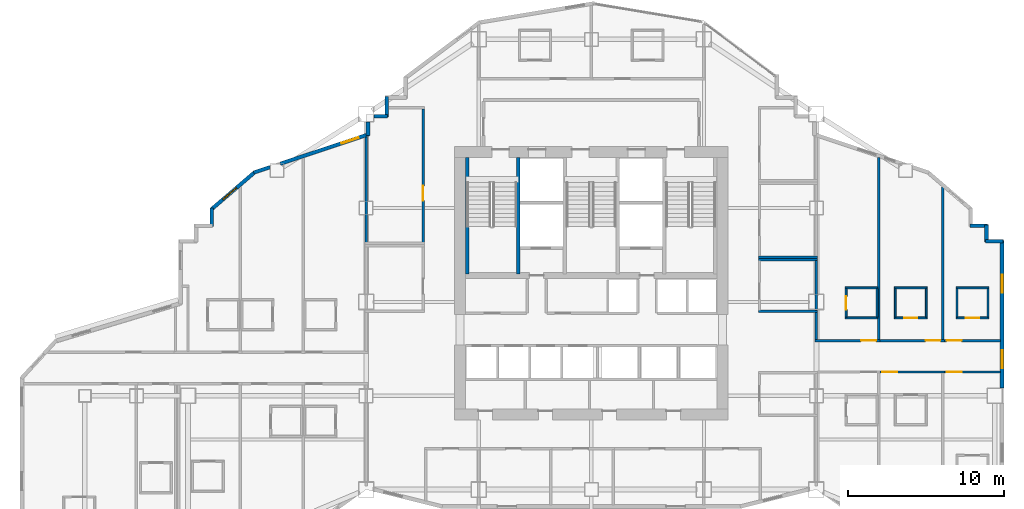
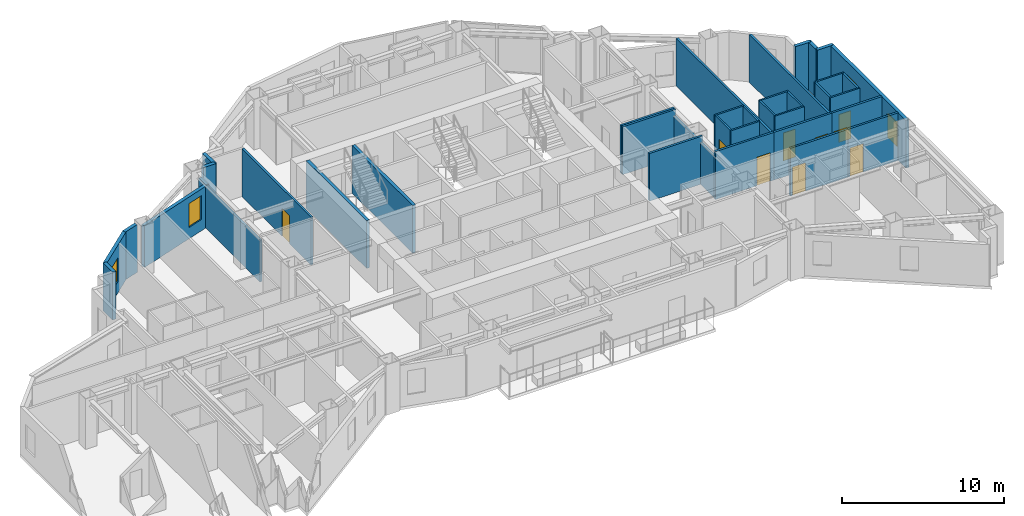
# One storey, part 10 of 14: 39 walls, 9 doors, 4 windows, 13 openings.
"""IFC4 building model written with IfcOpenShell, lengths in metres."""

from ifc_helpers import new_model, si_unit, direction, frame, frame_2d, origin, place, context, subcontext, project, spatial, rectangle, extrude, material, layer, layer_set, type_object, element, fill, save


model = new_model("IFC4")

# Units and contexts
model_context = context("Model", 3, precision=1e-05, world=origin(), true_north=direction((0.0, 1.0)))
body_context = subcontext(model_context, "Body", "Model", "MODEL_VIEW")
ifc_project = project(units=[si_unit("LENGTHUNIT", "METRE"), si_unit("AREAUNIT", "SQUARE_METRE"), si_unit("VOLUMEUNIT", "CUBIC_METRE"), si_unit("PLANEANGLEUNIT", "RADIAN"), si_unit("MASSUNIT", "GRAM", prefix="KILO")], contexts=[model_context])

# Site, building, storey
site_placement = place(None, origin())
site = spatial("IfcSite", under=ifc_project, at=site_placement, CompositionType="ELEMENT")
building_placement = place(site_placement, origin())
building = spatial("IfcBuilding", under=site, at=building_placement, Name="Haolan Belvedere Tower", CompositionType="ELEMENT")
storey_placement = place(building_placement, frame((0.0, 0.0, 121.199951171875)))
storey = spatial("IfcBuildingStorey", under=building, at=storey_placement, Name="L30", CompositionType="ELEMENT", Elevation=121.199951171875)

# Wall, openings, windows
ifc_material_1 = material(Name="Precast concrete C40/50", Category="concrete")
ifc_layer_1 = layer(ifc_material_1, 0.239990234375, Name="Precast concrete C40/50")
ifc_layer_set_1 = layer_set([ifc_layer_1], Name="Precast concrete C40/50")
wall_type_1 = type_object("IfcWallType", Name="WL-EXT-240", PredefinedType="SOLIDWALL", material=ifc_layer_set_1)
wall_1_placement = place(storey_placement, frame((64.679931640625, 28.092041015625, 0.0), z_axis=(0.0, 0.0, 1.0), x_axis=(0.0, 1.0, 0.0)))
wall_1 = element("IfcWall", 1, at=wall_1_placement, inside=storey, type_object=wall_type_1, Name="L30 pale-metal exterior spandrel wall 14.2", PredefinedType="SOLIDWALL", context=body_context, shape_type="SweptSolid", body=[
    extrude(rectangle(XDim=9.44287109375, YDim=0.239990234375, at=frame_2d((4.721435546875, 0.0))), origin(), (0.0, 0.0, 1.0), 3.60009765625),
])
opening_1_placement = place(wall_1_placement, frame((1.262939453125, 0.0, 0.85009765625)))
opening_1 = element("IfcOpeningElement", 2, at=opening_1_placement, cuts=wall_1, Name="Opening W-02", PredefinedType="OPENING", context=body_context, shape_type="SweptSolid", body=[
    extrude(rectangle(XDim=1.14990234375, YDim=1.800048828125, at=frame_2d((0.574951171875, 0.89990234375))), frame((0.0, 0.1298828125, 0.0), z_axis=(0.0, -1.0, 0.0), x_axis=(1.0, 0.0, 0.0)), (0.0, 0.0, 1.0), 0.260009765625),
])
opening_2_placement = place(wall_1_placement, frame((6.10009765625, 0.0, 0.85009765625)))
opening_2 = element("IfcOpeningElement", 3, at=opening_2_placement, cuts=wall_1, Name="Opening W-02", PredefinedType="OPENING", context=body_context, shape_type="SweptSolid", body=[
    extrude(rectangle(XDim=1.14990234375, YDim=1.800048828125, at=frame_2d((0.574951171875, 0.89990234375))), frame((0.0, 0.1298828125, 0.0), z_axis=(0.0, -1.0, 0.0), x_axis=(1.0, 0.0, 0.0)), (0.0, 0.0, 1.0), 0.260009765625),
])
ifc_material_2 = material(Name="Anodised aluminium 6063-T6 and Low-E glass", Category="aluminium")
window_type = type_object("IfcWindowType", Name="WN-DECO-Z2", PartitioningType="SINGLE_PANEL", PredefinedType="WINDOW", material=ifc_material_2)
window_1_placement = place(opening_1_placement, origin())
window_1 = element("IfcWindow", 4, at=window_1_placement, inside=storey, type_object=window_type, Name="L30 Art Deco chevron window 1", OverallHeight=1.800048828125, OverallWidth=1.14990234375, PartitioningType="SINGLE_PANEL", PredefinedType="WINDOW", context=body_context, shape_type="SweptSolid", body=[
    extrude(rectangle(XDim=1.14990234375, YDim=1.800048828125, at=frame_2d((0.574951171875, 0.89990234375))), frame((0.0, 0.030029296875, 0.0), z_axis=(0.0, -1.0, 0.0), x_axis=(1.0, 0.0, 0.0)), (0.0, 0.0, 1.0), 0.06005859375),
])
fill(opening_1, window_1)
window_2_placement = place(opening_2_placement, origin())
window_2 = element("IfcWindow", 5, at=window_2_placement, inside=storey, type_object=window_type, Name="L30 Art Deco chevron window 2", OverallHeight=1.800048828125, OverallWidth=1.14990234375, PartitioningType="SINGLE_PANEL", PredefinedType="WINDOW", context=body_context, shape_type="SweptSolid", body=[
    extrude(rectangle(XDim=1.14990234375, YDim=1.800048828125, at=frame_2d((0.574951171875, 0.89990234375))), frame((0.0, 0.030029296875, 0.0), z_axis=(0.0, -1.0, 0.0), x_axis=(1.0, 0.0, 0.0)), (0.0, 0.0, 1.0), 0.06005859375),
])
fill(opening_2, window_2)

# Walls
wall_2_placement = place(storey_placement, frame((64.735107421875, 37.47998046875, 0.0), z_axis=(0.0, 0.0, 1.0), x_axis=(-1.0, 0.0, 0.0)))
element("IfcWall", 6, at=wall_2_placement, inside=storey, type_object=wall_type_1, Name="L30 pale-metal exterior spandrel wall 15.1", PredefinedType="SOLIDWALL", context=body_context, shape_type="SweptSolid", body=[
    extrude(rectangle(XDim=1.110107421875, YDim=0.239990234375, at=frame_2d((0.55517578125, 0.0))), origin(), (0.0, 0.0, 1.0), 3.60009765625),
])
wall_3_placement = place(storey_placement, frame((63.679931640625, 37.425048828125, 0.0), z_axis=(0.0, 0.0, 1.0), x_axis=(0.0, 1.0, 0.0)))
element("IfcWall", 7, at=wall_3_placement, inside=storey, type_object=wall_type_1, Name="L30 pale-metal exterior spandrel wall 16.1", PredefinedType="SOLIDWALL", context=body_context, shape_type="SweptSolid", body=[
    extrude(rectangle(XDim=1.10986328125, YDim=0.239990234375, at=frame_2d((0.554931640625, 0.0))), origin(), (0.0, 0.0, 1.0), 3.60009765625),
])
wall_4_placement = place(storey_placement, frame((63.735107421875, 38.47998046875, 0.0), z_axis=(0.0, 0.0, 1.0), x_axis=(-1.0, 0.0, 0.0)))
element("IfcWall", 8, at=wall_4_placement, inside=storey, type_object=wall_type_1, Name="L30 pale-metal exterior spandrel wall 17.1", PredefinedType="SOLIDWALL", context=body_context, shape_type="SweptSolid", body=[
    extrude(rectangle(XDim=1.110107421875, YDim=0.239990234375, at=frame_2d((0.55517578125, 0.0))), origin(), (0.0, 0.0, 1.0), 3.60009765625),
])
wall_5_placement = place(storey_placement, frame((25.320068359375, 46.735107421875, 0.0), z_axis=(0.0, 0.0, 1.0), x_axis=(0.0, -1.0, 0.0)))
element("IfcWall", 9, at=wall_5_placement, inside=storey, type_object=wall_type_1, Name="L30 pale-metal exterior spandrel wall 32.1", PredefinedType="SOLIDWALL", context=body_context, shape_type="SweptSolid", body=[
    extrude(rectangle(XDim=1.31005859375, YDim=0.239990234375, at=frame_2d((0.655029296875, 0.0))), origin(), (0.0, 0.0, 1.0), 3.60009765625),
])
wall_6_placement = place(storey_placement, frame((25.375, 45.47998046875, 0.0), z_axis=(0.0, 0.0, 1.0), x_axis=(-1.0, 0.0, 0.0)))
element("IfcWall", 10, at=wall_6_placement, inside=storey, type_object=wall_type_1, Name="L30 pale-metal exterior spandrel wall 33.1", PredefinedType="SOLIDWALL", context=body_context, shape_type="SweptSolid", body=[
    extrude(rectangle(XDim=0.883056640625, YDim=0.239990234375, at=frame_2d((0.44140625, 0.0))), origin(), (0.0, 0.0, 1.0), 3.60009765625),
])
wall_7_placement = place(storey_placement, frame((24.1201171875, 45.10791015625, 0.0), z_axis=(0.0, 0.0, 1.0), x_axis=(0.0, -1.0, 0.0)))
element("IfcWall", 11, at=wall_7_placement, inside=storey, type_object=wall_type_1, Name="L30 pale-metal exterior spandrel wall 34.1", PredefinedType="SOLIDWALL", context=body_context, shape_type="SweptSolid", body=[
    extrude(rectangle(XDim=0.849365234375, YDim=0.239990234375, at=frame_2d((0.4248046875, 0.0))), origin(), (0.0, 0.0, 1.0), 3.14501953125),
])

# Wall, opening, window
wall_8_placement = place(storey_placement, frame((24.172119140625, 44.330810546875, 0.0), z_axis=(0.0, 0.0, 1.0), x_axis=(-0.948683298051, -0.316227766017, 0.0)))
wall_8 = element("IfcWall", 12, at=wall_8_placement, inside=storey, type_object=wall_type_1, Name="L30 pale-metal exterior spandrel wall 35.1", PredefinedType="SOLIDWALL", context=body_context, shape_type="SweptSolid", body=[
    extrude(rectangle(XDim=5.973388671875, YDim=0.239990234375, at=frame_2d((2.98681640625, 0.0))), origin(), (0.0, 0.0, 1.0), 3.14501953125),
])
opening_3_placement = place(wall_8_placement, frame((0.699951171875, 0.0, 0.85009765625)))
opening_3 = element("IfcOpeningElement", 13, at=opening_3_placement, cuts=wall_8, Name="Opening W-02", PredefinedType="OPENING", context=body_context, shape_type="SweptSolid", body=[
    extrude(rectangle(XDim=1.14990234375, YDim=1.800048828125, at=frame_2d((0.574951171875, 0.89990234375))), frame((0.0, 0.1298828125, 0.0), z_axis=(0.0, -1.0, 0.0), x_axis=(1.0, 0.0, 0.0)), (0.0, 0.0, 1.0), 0.260009765625),
])
window_3_placement = place(opening_3_placement, origin())
window_3 = element("IfcWindow", 14, at=window_3_placement, inside=storey, type_object=window_type, Name="L30 Art Deco chevron window 1", OverallHeight=1.800048828125, OverallWidth=1.14990234375, PartitioningType="SINGLE_PANEL", PredefinedType="WINDOW", context=body_context, shape_type="SweptSolid", body=[
    extrude(rectangle(XDim=1.14990234375, YDim=1.800048828125, at=frame_2d((0.574951171875, 0.89990234375))), frame((0.0, 0.030029296875, 0.0), z_axis=(0.0, -1.0, 0.0), x_axis=(1.0, 0.0, 0.0)), (0.0, 0.0, 1.0), 0.06005859375),
])
fill(opening_3, window_3)

# Wall
wall_9_placement = place(storey_placement, frame((17.85791015625, 42.226318359375, 0.0), z_axis=(0.0, 0.0, 1.0), x_axis=(-0.948639166064, -0.316360131194, 0.0)))
element("IfcWall", 15, at=wall_9_placement, inside=storey, type_object=wall_type_1, Name="L30 pale-metal exterior spandrel wall 35.2", PredefinedType="SOLIDWALL", context=body_context, shape_type="SweptSolid", body=[
    extrude(rectangle(XDim=1.106689453125, YDim=0.239990234375, at=frame_2d((0.55322265625, 0.0))), origin(), (0.0, 0.0, 1.0), 3.60009765625),
])

# Wall, opening, window
wall_10_placement = place(storey_placement, frame((16.902099609375, 41.929443359375, 0.0), z_axis=(0.0, 0.0, 1.0), x_axis=(-0.759275136126, -0.650769750112, 0.0)))
wall_10 = element("IfcWall", 16, at=wall_10_placement, inside=storey, type_object=wall_type_1, Name="L30 pale-metal exterior spandrel wall 36.1", PredefinedType="SOLIDWALL", context=body_context, shape_type="SweptSolid", body=[
    extrude(rectangle(XDim=3.71923828125, YDim=0.239990234375, at=frame_2d((1.859619140625, 0.0))), origin(), (0.0, 0.0, 1.0), 3.60009765625),
])
opening_4_placement = place(wall_10_placement, frame((1.578857421875, 0.0, 0.85009765625)))
opening_4 = element("IfcOpeningElement", 17, at=opening_4_placement, cuts=wall_10, Name="Opening W-02", PredefinedType="OPENING", context=body_context, shape_type="SweptSolid", body=[
    extrude(rectangle(XDim=1.14990234375, YDim=1.800048828125, at=frame_2d((0.574951171875, 0.89990234375))), frame((0.0, 0.1298828125, 0.0), z_axis=(0.0, -1.0, 0.0), x_axis=(1.0, 0.0, 0.0)), (0.0, 0.0, 1.0), 0.260009765625),
])
window_4_placement = place(opening_4_placement, origin())
window_4 = element("IfcWindow", 18, at=window_4_placement, inside=storey, type_object=window_type, Name="L30 Art Deco chevron window 1", OverallHeight=1.800048828125, OverallWidth=1.14990234375, PartitioningType="SINGLE_PANEL", PredefinedType="WINDOW", context=body_context, shape_type="SweptSolid", body=[
    extrude(rectangle(XDim=1.14990234375, YDim=1.800048828125, at=frame_2d((0.574951171875, 0.89990234375))), frame((0.0, 0.030029296875, 0.0), z_axis=(0.0, -1.0, 0.0), x_axis=(1.0, 0.0, 0.0)), (0.0, 0.0, 1.0), 0.06005859375),
])
fill(opening_4, window_4)

# Walls
wall_11_placement = place(storey_placement, frame((14.1201171875, 39.599853515625, 0.0), z_axis=(0.0, 0.0, 1.0), x_axis=(0.0, -1.0, 0.0)))
element("IfcWall", 19, at=wall_11_placement, inside=storey, type_object=wall_type_1, Name="L30 pale-metal exterior spandrel wall 37.1", PredefinedType="SOLIDWALL", context=body_context, shape_type="SweptSolid", body=[
    extrude(rectangle(XDim=1.1748046875, YDim=0.239990234375, at=frame_2d((0.58740234375, 0.0))), origin(), (0.0, 0.0, 1.0), 3.60009765625),
])
ifc_material_3 = material(Name="Double gypsum acoustic stud partition", Category="masonry")
ifc_layer_2 = layer(ifc_material_3, 0.14990234375, Name="Double gypsum acoustic stud partition")
ifc_layer_set_2 = layer_set([ifc_layer_2], Name="Double gypsum acoustic stud partition")
wall_type_2 = type_object("IfcWallType", Name="WL-PART-150", PredefinedType="PARTITIONING", material=ifc_layer_set_2)
wall_12_placement = place(storey_placement, frame((24.0, 37.419921875, 0.0), z_axis=(0.0, 0.0, 1.0), x_axis=(0.0, 1.0, 0.0)))
element("IfcWall", 20, at=wall_12_placement, inside=storey, type_object=wall_type_2, Name="L30 interior partition IW-L30-MTG-W", PredefinedType="PARTITIONING", context=body_context, shape_type="SweptSolid", body=[
    extrude(rectangle(XDim=6.742919921875, YDim=0.14990234375, at=frame_2d((3.37158203125, 0.0))), origin(), (0.0, 0.0, 1.0), 3.14501953125),
])

# Wall, opening, door
wall_13_placement = place(storey_placement, frame((27.639892578125, 37.419921875, 0.0), z_axis=(0.0, 0.0, 1.0), x_axis=(0.0, 1.0, 0.0)))
wall_13 = element("IfcWall", 21, at=wall_13_placement, inside=storey, type_object=wall_type_2, Name="L30 interior partition IW-L30-MTG-E", PredefinedType="PARTITIONING", context=body_context, shape_type="SweptSolid", body=[
    extrude(rectangle(XDim=8.5400390625, YDim=0.14990234375, at=frame_2d((4.27001953125, 0.0))), origin(), (0.0, 0.0, 1.0), 3.60009765625),
])
opening_5_placement = place(wall_13_placement, frame((3.60986328125, 0.0, 0.0), z_axis=(0.0, 0.0, 1.0), x_axis=(-1.0, 0.0, 0.0)))
opening_5 = element("IfcOpeningElement", 22, at=opening_5_placement, cuts=wall_13, Name="Opening ID-03", PredefinedType="OPENING", context=body_context, shape_type="SweptSolid", body=[
    extrude(rectangle(XDim=0.949951171875, YDim=2.1201171875, at=frame_2d((0.47509765625, 1.06005859375))), frame((0.0, 0.0849609375, 0.0), z_axis=(0.0, -1.0, 0.0), x_axis=(1.0, 0.0, 0.0)), (0.0, 0.0, 1.0), 0.169921875),
])
ifc_material_4 = material(Name="Painted solid-core timber", Category="wood")
door_type_1 = type_object("IfcDoorType", Name="DR-INT-950", OperationType="NOTDEFINED", PredefinedType="DOOR", material=ifc_material_4)
door_1_placement = place(opening_5_placement, origin())
door_1 = element("IfcDoor", 23, at=door_1_placement, inside=storey, type_object=door_type_1, Name="L30 door ID-L30-MTG", OperationType="SINGLE_SWING_RIGHT", OverallHeight=2.1201171875, OverallWidth=0.949951171875, PredefinedType="DOOR", context=body_context, shape_type="SweptSolid", body=[
    extrude(rectangle(XDim=0.949951171875, YDim=2.1201171875, at=frame_2d((0.47509765625, 1.06005859375))), frame((0.0, 0.02490234375, 0.0), z_axis=(0.0, -1.0, 0.0), x_axis=(1.0, 0.0, 0.0)), (0.0, 0.0, 1.0), 0.050048828125),
])
fill(opening_5, door_1)

# Walls
for number, where, z_axis, x_axis, name in (
    (24, (49.080078125, 36.300048828125, 0.0), (0.0, 0.0, 1.0), (1.0, 0.0, 0.0), "L30 interior partition IW-L30-AWC-N"),
    (25, (49.080078125, 33.0, 0.0), (0.0, 0.0, 1.0), (1.0, 0.0, 0.0), "L30 interior partition IW-L30-AWC-S"),
):
    element("IfcWall", number, at=place(storey_placement, frame(where, z_axis=z_axis, x_axis=x_axis)), inside=storey, type_object=wall_type_2, Name=name, PredefinedType="PARTITIONING", context=body_context, shape_type="SweptSolid", body=[
        extrude(rectangle(XDim=3.7998046875, YDim=0.14990234375, at=frame_2d((1.89990234375, 0.0))), origin(), (0.0, 0.0, 1.0), 3.60009765625),
    ])
wall_14_placement = place(storey_placement, frame((52.800048828125, 33.06005859375, 0.0), z_axis=(0.0, 0.0, 1.0), x_axis=(0.0, 1.0, 0.0)))
element("IfcWall", 26, at=wall_14_placement, inside=storey, type_object=wall_type_2, Name="L30 interior partition IW-L30-AWC-E", PredefinedType="PARTITIONING", context=body_context, shape_type="SweptSolid", body=[
    extrude(rectangle(XDim=3.179931640625, YDim=0.14990234375, at=frame_2d((1.58984375, 0.0))), origin(), (0.0, 0.0, 1.0), 3.14501953125),
])
wall_15_placement = place(storey_placement, frame((49.080078125, 36.4599609375, 0.0), z_axis=(0.0, 0.0, 1.0), x_axis=(1.0, 0.0, 0.0)))
element("IfcWall", 27, at=wall_15_placement, inside=storey, type_object=wall_type_2, Name="L30 interior partition IW-L30-STY-S", PredefinedType="PARTITIONING", context=body_context, shape_type="SweptSolid", body=[
    extrude(rectangle(XDim=3.7998046875, YDim=0.14990234375, at=frame_2d((1.89990234375, 0.0))), origin(), (0.0, 0.0, 1.0), 3.60009765625),
])

# Wall, opening, door
wall_16_placement = place(storey_placement, frame((52.699951171875, 31.1298828125, 0.0), z_axis=(0.0, 0.0, 1.0), x_axis=(1.0, 0.0, 0.0)))
wall_16 = element("IfcWall", 28, at=wall_16_placement, inside=storey, type_object=wall_type_2, Name="L30 interior partition IW-L30-T4N1-S", PredefinedType="PARTITIONING", context=body_context, shape_type="SweptSolid", body=[
    extrude(rectangle(XDim=4.179931640625, YDim=0.14990234375, at=frame_2d((2.08984375, 0.0))), origin(), (0.0, 0.0, 1.0), 3.60009765625),
])
opening_6_placement = place(wall_16_placement, frame((2.966064453125, 0.0, 0.0)))
opening_6 = element("IfcOpeningElement", 29, at=opening_6_placement, cuts=wall_16, Name="Opening ID-02", PredefinedType="OPENING", context=body_context, shape_type="SweptSolid", body=[
    extrude(rectangle(XDim=0.949951171875, YDim=2.14990234375, at=frame_2d((0.47509765625, 1.074951171875))), frame((0.0, 0.0849609375, 0.0), z_axis=(0.0, -1.0, 0.0), x_axis=(1.0, 0.0, 0.0)), (0.0, 0.0, 1.0), 0.169921875),
])
ifc_material_5 = material(Name="Acoustic oak veneer fire-rated timber", Category="wood")
door_type_2 = type_object("IfcDoorType", Name="DR-GUEST-950", OperationType="NOTDEFINED", PredefinedType="DOOR", material=ifc_material_5)
door_2_placement = place(opening_6_placement, origin())
door_2 = element("IfcDoor", 30, at=door_2_placement, inside=storey, type_object=door_type_2, Name="L30 door ID-L30-T4N1-ENT", OperationType="SINGLE_SWING_LEFT", OverallHeight=2.14990234375, OverallWidth=0.949951171875, PredefinedType="DOOR", context=body_context, shape_type="SweptSolid", body=[
    extrude(rectangle(XDim=0.949951171875, YDim=2.14990234375, at=frame_2d((0.47509765625, 1.074951171875))), frame((0.0, 0.02490234375, 0.0), z_axis=(0.0, -1.0, 0.0), x_axis=(1.0, 0.0, 0.0)), (0.0, 0.0, 1.0), 0.050048828125),
])
fill(opening_6, door_2)

# Walls
wall_17_placement = place(storey_placement, frame((52.800048828125, 31.18994140625, 0.0), z_axis=(0.0, 0.0, 1.0), x_axis=(0.0, 1.0, 0.0)))
element("IfcWall", 31, at=wall_17_placement, inside=storey, type_object=wall_type_2, Name="L30 interior partition IW-L30-T4N1-W", PredefinedType="PARTITIONING", context=body_context, shape_type="SweptSolid", body=[
    extrude(rectangle(XDim=1.75, YDim=0.14990234375, at=frame_2d((0.875, 0.0))), origin(), (0.0, 0.0, 1.0), 3.14501953125),
])
wall_18_placement = place(storey_placement, frame((56.780029296875, 31.18994140625, 0.0), z_axis=(0.0, 0.0, 1.0), x_axis=(0.0, 1.0, 0.0)))
element("IfcWall", 32, at=wall_18_placement, inside=storey, type_object=wall_type_2, Name="L30 interior partition IW-L30-T4N1-E", PredefinedType="PARTITIONING", context=body_context, shape_type="SweptSolid", body=[
    extrude(rectangle(XDim=11.646240234375, YDim=0.14990234375, at=frame_2d((5.8232421875, 0.0))), origin(), (0.0, 0.0, 1.0), 3.60009765625),
])

# Wall, opening, door
wall_19_placement = place(storey_placement, frame((56.882080078125, 31.1298828125, 0.0), z_axis=(0.0, 0.0, 1.0), x_axis=(1.0, 0.0, 0.0)))
wall_19 = element("IfcWall", 33, at=wall_19_placement, inside=storey, type_object=wall_type_2, Name="L30 interior partition IW-L30-T4N2-S", PredefinedType="PARTITIONING", context=body_context, shape_type="SweptSolid", body=[
    extrude(rectangle(XDim=4.10791015625, YDim=0.14990234375, at=frame_2d((2.053955078125, 0.0))), origin(), (0.0, 0.0, 1.0), 3.60009765625),
])
opening_7_placement = place(wall_19_placement, frame((2.896484375, 0.0, 0.0)))
opening_7 = element("IfcOpeningElement", 34, at=opening_7_placement, cuts=wall_19, Name="Opening ID-02", PredefinedType="OPENING", context=body_context, shape_type="SweptSolid", body=[
    extrude(rectangle(XDim=0.949951171875, YDim=2.14990234375, at=frame_2d((0.47509765625, 1.074951171875))), frame((0.0, 0.0849609375, 0.0), z_axis=(0.0, -1.0, 0.0), x_axis=(1.0, 0.0, 0.0)), (0.0, 0.0, 1.0), 0.169921875),
])
door_3_placement = place(opening_7_placement, origin())
door_3 = element("IfcDoor", 35, at=door_3_placement, inside=storey, type_object=door_type_2, Name="L30 door ID-L30-T4N2-ENT", OperationType="SINGLE_SWING_RIGHT", OverallHeight=2.14990234375, OverallWidth=0.949951171875, PredefinedType="DOOR", context=body_context, shape_type="SweptSolid", body=[
    extrude(rectangle(XDim=0.949951171875, YDim=2.14990234375, at=frame_2d((0.47509765625, 1.074951171875))), frame((0.0, 0.02490234375, 0.0), z_axis=(0.0, -1.0, 0.0), x_axis=(1.0, 0.0, 0.0)), (0.0, 0.0, 1.0), 0.050048828125),
])
fill(opening_7, door_3)

# Wall
wall_20_placement = place(storey_placement, frame((60.889892578125, 31.18994140625, 0.0), z_axis=(0.0, 0.0, 1.0), x_axis=(0.0, 1.0, 0.0)))
element("IfcWall", 36, at=wall_20_placement, inside=storey, type_object=wall_type_2, Name="L30 interior partition IW-L30-T4N2-E", PredefinedType="PARTITIONING", context=body_context, shape_type="SweptSolid", body=[
    extrude(rectangle(XDim=9.7509765625, YDim=0.14990234375, at=frame_2d((4.87548828125, 0.0))), origin(), (0.0, 0.0, 1.0), 3.60009765625),
])

# Wall, opening, door
wall_21_placement = place(storey_placement, frame((60.991943359375, 31.1298828125, 0.0), z_axis=(0.0, 0.0, 1.0), x_axis=(1.0, 0.0, 0.0)))
wall_21 = element("IfcWall", 37, at=wall_21_placement, inside=storey, type_object=wall_type_2, Name="L30 interior partition IW-L30-T4N3-S", PredefinedType="PARTITIONING", context=body_context, shape_type="SweptSolid", body=[
    extrude(rectangle(XDim=3.5830078125, YDim=0.14990234375, at=frame_2d((1.79150390625, 0.0))), origin(), (0.0, 0.0, 1.0), 3.60009765625),
])
opening_8_placement = place(wall_21_placement, frame((0.139892578125, 0.0, 0.0)))
opening_8 = element("IfcOpeningElement", 38, at=opening_8_placement, cuts=wall_21, Name="Opening ID-02", PredefinedType="OPENING", context=body_context, shape_type="SweptSolid", body=[
    extrude(rectangle(XDim=0.949951171875, YDim=2.14990234375, at=frame_2d((0.47509765625, 1.074951171875))), frame((0.0, 0.0849609375, 0.0), z_axis=(0.0, -1.0, 0.0), x_axis=(1.0, 0.0, 0.0)), (0.0, 0.0, 1.0), 0.169921875),
])
door_4_placement = place(opening_8_placement, origin())
door_4 = element("IfcDoor", 39, at=door_4_placement, inside=storey, type_object=door_type_2, Name="L30 door ID-L30-T4N3-ENT", OperationType="SINGLE_SWING_LEFT", OverallHeight=2.14990234375, OverallWidth=0.949951171875, PredefinedType="DOOR", context=body_context, shape_type="SweptSolid", body=[
    extrude(rectangle(XDim=0.949951171875, YDim=2.14990234375, at=frame_2d((0.47509765625, 1.074951171875))), frame((0.0, 0.02490234375, 0.0), z_axis=(0.0, -1.0, 0.0), x_axis=(1.0, 0.0, 0.0)), (0.0, 0.0, 1.0), 0.050048828125),
])
fill(opening_8, door_4)

wall_22_placement = place(storey_placement, frame((56.882080078125, 29.1201171875, 0.0), z_axis=(0.0, 0.0, 1.0), x_axis=(1.0, 0.0, 0.0)))
wall_22 = element("IfcWall", 40, at=wall_22_placement, inside=storey, type_object=wall_type_2, Name="L30 interior partition IW-L30-T4S2-N", PredefinedType="PARTITIONING", context=body_context, shape_type="SweptSolid", body=[
    extrude(rectangle(XDim=4.10791015625, YDim=0.14990234375, at=frame_2d((2.053955078125, 0.0))), origin(), (0.0, 0.0, 1.0), 3.60009765625),
])
opening_9_placement = place(wall_22_placement, frame((1.08984375, 0.0, 0.0), z_axis=(0.0, 0.0, 1.0), x_axis=(-1.0, 0.0, 0.0)))
opening_9 = element("IfcOpeningElement", 41, at=opening_9_placement, cuts=wall_22, Name="Opening ID-02", PredefinedType="OPENING", context=body_context, shape_type="SweptSolid", body=[
    extrude(rectangle(XDim=0.949951171875, YDim=2.14990234375, at=frame_2d((0.47509765625, 1.074951171875))), frame((0.0, 0.0849609375, 0.0), z_axis=(0.0, -1.0, 0.0), x_axis=(1.0, 0.0, 0.0)), (0.0, 0.0, 1.0), 0.169921875),
])
door_5_placement = place(opening_9_placement, origin())
door_5 = element("IfcDoor", 42, at=door_5_placement, inside=storey, type_object=door_type_2, Name="L30 door ID-L30-T4S2-ENT", OperationType="SINGLE_SWING_LEFT", OverallHeight=2.14990234375, OverallWidth=0.949951171875, PredefinedType="DOOR", context=body_context, shape_type="SweptSolid", body=[
    extrude(rectangle(XDim=0.949951171875, YDim=2.14990234375, at=frame_2d((0.47509765625, 1.074951171875))), frame((0.0, 0.02490234375, 0.0), z_axis=(0.0, -1.0, 0.0), x_axis=(1.0, 0.0, 0.0)), (0.0, 0.0, 1.0), 0.050048828125),
])
fill(opening_9, door_5)

wall_23_placement = place(storey_placement, frame((60.991943359375, 29.1201171875, 0.0), z_axis=(0.0, 0.0, 1.0), x_axis=(1.0, 0.0, 0.0)))
wall_23 = element("IfcWall", 43, at=wall_23_placement, inside=storey, type_object=wall_type_2, Name="L30 interior partition IW-L30-T4S3-N", PredefinedType="PARTITIONING", context=body_context, shape_type="SweptSolid", body=[
    extrude(rectangle(XDim=3.5830078125, YDim=0.14990234375, at=frame_2d((1.79150390625, 0.0))), origin(), (0.0, 0.0, 1.0), 3.60009765625),
])
opening_10_placement = place(wall_23_placement, frame((1.08984375, 0.0, 0.0), z_axis=(0.0, 0.0, 1.0), x_axis=(-1.0, 0.0, 0.0)))
opening_10 = element("IfcOpeningElement", 44, at=opening_10_placement, cuts=wall_23, Name="Opening ID-02", PredefinedType="OPENING", context=body_context, shape_type="SweptSolid", body=[
    extrude(rectangle(XDim=0.949951171875, YDim=2.14990234375, at=frame_2d((0.47509765625, 1.074951171875))), frame((0.0, 0.0849609375, 0.0), z_axis=(0.0, -1.0, 0.0), x_axis=(1.0, 0.0, 0.0)), (0.0, 0.0, 1.0), 0.169921875),
])
door_6_placement = place(opening_10_placement, origin())
door_6 = element("IfcDoor", 45, at=door_6_placement, inside=storey, type_object=door_type_2, Name="L30 door ID-L30-T4S3-ENT", OperationType="SINGLE_SWING_RIGHT", OverallHeight=2.14990234375, OverallWidth=0.949951171875, PredefinedType="DOOR", context=body_context, shape_type="SweptSolid", body=[
    extrude(rectangle(XDim=0.949951171875, YDim=2.14990234375, at=frame_2d((0.47509765625, 1.074951171875))), frame((0.0, 0.02490234375, 0.0), z_axis=(0.0, -1.0, 0.0), x_axis=(1.0, 0.0, 0.0)), (0.0, 0.0, 1.0), 0.050048828125),
])
fill(opening_10, door_6)

# Walls
ifc_material_6 = material(Name="Concrete C50/60", Category="concrete")
ifc_layer_3 = layer(ifc_material_6, 0.219970703125, Name="Concrete C50/60")
ifc_layer_set_3 = layer_set([ifc_layer_3], Name="Concrete C50/60")
wall_type_3 = type_object("IfcWallType", Name="WL-STAIR-220", PredefinedType="SHEAR", material=ifc_layer_set_3)
for number, where, z_axis, x_axis, name in (
    (46, (30.4619140625, 35.389892578125, 0.0), (0.0, 0.0, 1.0), (0.0, 1.0, 0.0), "L30 structural stair core wall ST1W"),
    (47, (33.739990234375, 35.389892578125, 0.0), (0.0, 0.0, 1.0), (0.0, 1.0, 0.0), "L30 structural stair core wall ST1E"),
):
    element("IfcWall", number, at=place(storey_placement, frame(where, z_axis=z_axis, x_axis=x_axis)), inside=storey, type_object=wall_type_3, Name=name, PredefinedType="SHEAR", context=body_context, shape_type="SweptSolid", body=[
        extrude(rectangle(XDim=7.460205078125, YDim=0.219970703125, at=frame_2d((3.72998046875, 0.0))), origin(), (0.0, 0.0, 1.0), 3.60009765625),
    ])
ifc_material_7 = material(Name="Moisture-resistant gypsum tile partition", Category="masonry")
ifc_layer_4 = layer(ifc_material_7, 0.1201171875, Name="Moisture-resistant gypsum tile partition")
ifc_layer_set_4 = layer_set([ifc_layer_4], Name="Moisture-resistant gypsum tile partition")
wall_type_4 = type_object("IfcWallType", Name="WL-WET-120", PredefinedType="PARTITIONING", material=ifc_layer_set_4)
for number, where, z_axis, x_axis, name in (
    (48, (54.639892578125, 34.5, 0.0), (0.0, 0.0, 1.0), (1.0, 0.0, 0.0), "L30 interior partition IW-L30-T4N1-BN"),
    (49, (54.639892578125, 32.580078125, 0.0), (0.0, 0.0, 1.0), (1.0, 0.0, 0.0), "L30 interior partition IW-L30-T4N1-BS"),
):
    element("IfcWall", number, at=place(storey_placement, frame(where, z_axis=z_axis, x_axis=x_axis)), inside=storey, type_object=wall_type_4, Name=name, PredefinedType="PARTITIONING", context=body_context, shape_type="SweptSolid", body=[
        extrude(rectangle(XDim=2.080078125, YDim=0.1201171875, at=frame_2d((1.0400390625, 0.0))), origin(), (0.0, 0.0, 1.0), 3.60009765625),
    ])

# Wall, opening, door
wall_24_placement = place(storey_placement, frame((54.699951171875, 32.625, 0.0), z_axis=(0.0, 0.0, 1.0), x_axis=(0.0, 1.0, 0.0)))
wall_24 = element("IfcWall", 50, at=wall_24_placement, inside=storey, type_object=wall_type_4, Name="L30 interior partition IW-L30-T4N1-BW", PredefinedType="PARTITIONING", context=body_context, shape_type="SweptSolid", body=[
    extrude(rectangle(XDim=1.830078125, YDim=0.1201171875, at=frame_2d((0.9150390625, 0.0))), origin(), (0.0, 0.0, 1.0), 3.60009765625),
])
opening_11_placement = place(wall_24_placement, frame((1.340087890625, 0.0, 0.0), z_axis=(0.0, 0.0, 1.0), x_axis=(-1.0, 0.0, 0.0)))
opening_11 = element("IfcOpeningElement", 51, at=opening_11_placement, cuts=wall_24, Name="Opening ID-05", PredefinedType="OPENING", context=body_context, shape_type="SweptSolid", body=[
    extrude(rectangle(XDim=0.85009765625, YDim=2.10009765625, at=frame_2d((0.425048828125, 1.050048828125))), frame((0.0, 0.070068359375, 0.0), z_axis=(0.0, -1.0, 0.0), x_axis=(1.0, 0.0, 0.0)), (0.0, 0.0, 1.0), 0.14013671875),
])
ifc_material_8 = material(Name="Moisture-resistant lacquered timber", Category="wood")
door_type_3 = type_object("IfcDoorType", Name="DR-BATH-850", OperationType="NOTDEFINED", PredefinedType="DOOR", material=ifc_material_8)
door_7_placement = place(opening_11_placement, origin())
door_7 = element("IfcDoor", 52, at=door_7_placement, inside=storey, type_object=door_type_3, Name="L30 door ID-L30-T4N1-BATH", OperationType="SINGLE_SWING_RIGHT", OverallHeight=2.10009765625, OverallWidth=0.85009765625, PredefinedType="DOOR", context=body_context, shape_type="SweptSolid", body=[
    extrude(rectangle(XDim=0.85009765625, YDim=2.10009765625, at=frame_2d((0.425048828125, 1.050048828125))), frame((0.0, 0.02490234375, 0.0), z_axis=(0.0, -1.0, 0.0), x_axis=(1.0, 0.0, 0.0)), (0.0, 0.0, 1.0), 0.050048828125),
])
fill(opening_11, door_7)

# Walls
wall_25_placement = place(storey_placement, frame((56.679931640625, 32.625, 0.0), z_axis=(0.0, 0.0, 1.0), x_axis=(0.0, 1.0, 0.0)))
element("IfcWall", 53, at=wall_25_placement, inside=storey, type_object=wall_type_4, Name="L30 interior partition IW-L30-T4N1-BE", PredefinedType="PARTITIONING", context=body_context, shape_type="SweptSolid", body=[
    extrude(rectangle(XDim=1.830078125, YDim=0.1201171875, at=frame_2d((0.9150390625, 0.0))), origin(), (0.0, 0.0, 1.0), 3.60009765625),
])
wall_26_placement = place(storey_placement, frame((57.784912109375, 34.5, 0.0), z_axis=(0.0, 0.0, 1.0), x_axis=(1.0, 0.0, 0.0)))
element("IfcWall", 54, at=wall_26_placement, inside=storey, type_object=wall_type_4, Name="L30 interior partition IW-L30-T4N2-BN", PredefinedType="PARTITIONING", context=body_context, shape_type="SweptSolid", body=[
    extrude(rectangle(XDim=2.10009765625, YDim=0.1201171875, at=frame_2d((1.050048828125, 0.0))), origin(), (0.0, 0.0, 1.0), 3.60009765625),
])

# Wall, opening, door
wall_27_placement = place(storey_placement, frame((57.784912109375, 32.580078125, 0.0), z_axis=(0.0, 0.0, 1.0), x_axis=(1.0, 0.0, 0.0)))
wall_27 = element("IfcWall", 55, at=wall_27_placement, inside=storey, type_object=wall_type_4, Name="L30 interior partition IW-L30-T4N2-BS", PredefinedType="PARTITIONING", context=body_context, shape_type="SweptSolid", body=[
    extrude(rectangle(XDim=2.10009765625, YDim=0.1201171875, at=frame_2d((1.050048828125, 0.0))), origin(), (0.0, 0.0, 1.0), 3.60009765625),
])
opening_12_placement = place(wall_27_placement, frame((0.625, 0.0, 0.0)))
opening_12 = element("IfcOpeningElement", 56, at=opening_12_placement, cuts=wall_27, Name="Opening ID-05", PredefinedType="OPENING", context=body_context, shape_type="SweptSolid", body=[
    extrude(rectangle(XDim=0.85009765625, YDim=2.10009765625, at=frame_2d((0.425048828125, 1.050048828125))), frame((0.0, 0.070068359375, 0.0), z_axis=(0.0, -1.0, 0.0), x_axis=(1.0, 0.0, 0.0)), (0.0, 0.0, 1.0), 0.14013671875),
])
door_8_placement = place(opening_12_placement, origin())
door_8 = element("IfcDoor", 57, at=door_8_placement, inside=storey, type_object=door_type_3, Name="L30 door ID-L30-T4N2-BATH", OperationType="SINGLE_SWING_LEFT", OverallHeight=2.10009765625, OverallWidth=0.85009765625, PredefinedType="DOOR", context=body_context, shape_type="SweptSolid", body=[
    extrude(rectangle(XDim=0.85009765625, YDim=2.10009765625, at=frame_2d((0.425048828125, 1.050048828125))), frame((0.0, 0.02490234375, 0.0), z_axis=(0.0, -1.0, 0.0), x_axis=(1.0, 0.0, 0.0)), (0.0, 0.0, 1.0), 0.050048828125),
])
fill(opening_12, door_8)

# Walls
for number, where, z_axis, x_axis, name in (
    (58, (57.844970703125, 32.625, 0.0), (0.0, 0.0, 1.0), (0.0, 1.0, 0.0), "L30 interior partition IW-L30-T4N2-BW"),
    (59, (59.824951171875, 32.625, 0.0), (0.0, 0.0, 1.0), (0.0, 1.0, 0.0), "L30 interior partition IW-L30-T4N2-BE"),
):
    element("IfcWall", number, at=place(storey_placement, frame(where, z_axis=z_axis, x_axis=x_axis)), inside=storey, type_object=wall_type_4, Name=name, PredefinedType="PARTITIONING", context=body_context, shape_type="SweptSolid", body=[
        extrude(rectangle(XDim=1.830078125, YDim=0.1201171875, at=frame_2d((0.9150390625, 0.0))), origin(), (0.0, 0.0, 1.0), 3.60009765625),
    ])
wall_28_placement = place(storey_placement, frame((61.737060546875, 34.5, 0.0), z_axis=(0.0, 0.0, 1.0), x_axis=(1.0, 0.0, 0.0)))
element("IfcWall", 60, at=wall_28_placement, inside=storey, type_object=wall_type_4, Name="L30 interior partition IW-L30-T4N3-BN", PredefinedType="PARTITIONING", context=body_context, shape_type="SweptSolid", body=[
    extrude(rectangle(XDim=2.099853515625, YDim=0.1201171875, at=frame_2d((1.0498046875, 0.0))), origin(), (0.0, 0.0, 1.0), 3.60009765625),
])

# Wall, opening, door
wall_29_placement = place(storey_placement, frame((61.737060546875, 32.580078125, 0.0), z_axis=(0.0, 0.0, 1.0), x_axis=(1.0, 0.0, 0.0)))
wall_29 = element("IfcWall", 61, at=wall_29_placement, inside=storey, type_object=wall_type_4, Name="L30 interior partition IW-L30-T4N3-BS", PredefinedType="PARTITIONING", context=body_context, shape_type="SweptSolid", body=[
    extrude(rectangle(XDim=2.099853515625, YDim=0.1201171875, at=frame_2d((1.0498046875, 0.0))), origin(), (0.0, 0.0, 1.0), 3.60009765625),
])
opening_13_placement = place(wall_29_placement, frame((0.625, 0.0, 0.0)))
opening_13 = element("IfcOpeningElement", 62, at=opening_13_placement, cuts=wall_29, Name="Opening ID-05", PredefinedType="OPENING", context=body_context, shape_type="SweptSolid", body=[
    extrude(rectangle(XDim=0.85009765625, YDim=2.10009765625, at=frame_2d((0.425048828125, 1.050048828125))), frame((0.0, 0.070068359375, 0.0), z_axis=(0.0, -1.0, 0.0), x_axis=(1.0, 0.0, 0.0)), (0.0, 0.0, 1.0), 0.14013671875),
])
door_9_placement = place(opening_13_placement, origin())
door_9 = element("IfcDoor", 63, at=door_9_placement, inside=storey, type_object=door_type_3, Name="L30 door ID-L30-T4N3-BATH", OperationType="SINGLE_SWING_RIGHT", OverallHeight=2.10009765625, OverallWidth=0.85009765625, PredefinedType="DOOR", context=body_context, shape_type="SweptSolid", body=[
    extrude(rectangle(XDim=0.85009765625, YDim=2.10009765625, at=frame_2d((0.425048828125, 1.050048828125))), frame((0.0, 0.02490234375, 0.0), z_axis=(0.0, -1.0, 0.0), x_axis=(1.0, 0.0, 0.0)), (0.0, 0.0, 1.0), 0.050048828125),
])
fill(opening_13, door_9)

# Walls
for number, where, z_axis, x_axis, name in (
    (64, (61.797119140625, 32.625, 0.0), (0.0, 0.0, 1.0), (0.0, 1.0, 0.0), "L30 interior partition IW-L30-T4N3-BW"),
    (65, (63.777099609375, 32.625, 0.0), (0.0, 0.0, 1.0), (0.0, 1.0, 0.0), "L30 interior partition IW-L30-T4N3-BE"),
):
    element("IfcWall", number, at=place(storey_placement, frame(where, z_axis=z_axis, x_axis=x_axis)), inside=storey, type_object=wall_type_4, Name=name, PredefinedType="PARTITIONING", context=body_context, shape_type="SweptSolid", body=[
        extrude(rectangle(XDim=1.830078125, YDim=0.1201171875, at=frame_2d((0.9150390625, 0.0))), origin(), (0.0, 0.0, 1.0), 3.60009765625),
    ])

save(model, "model.ifc")
